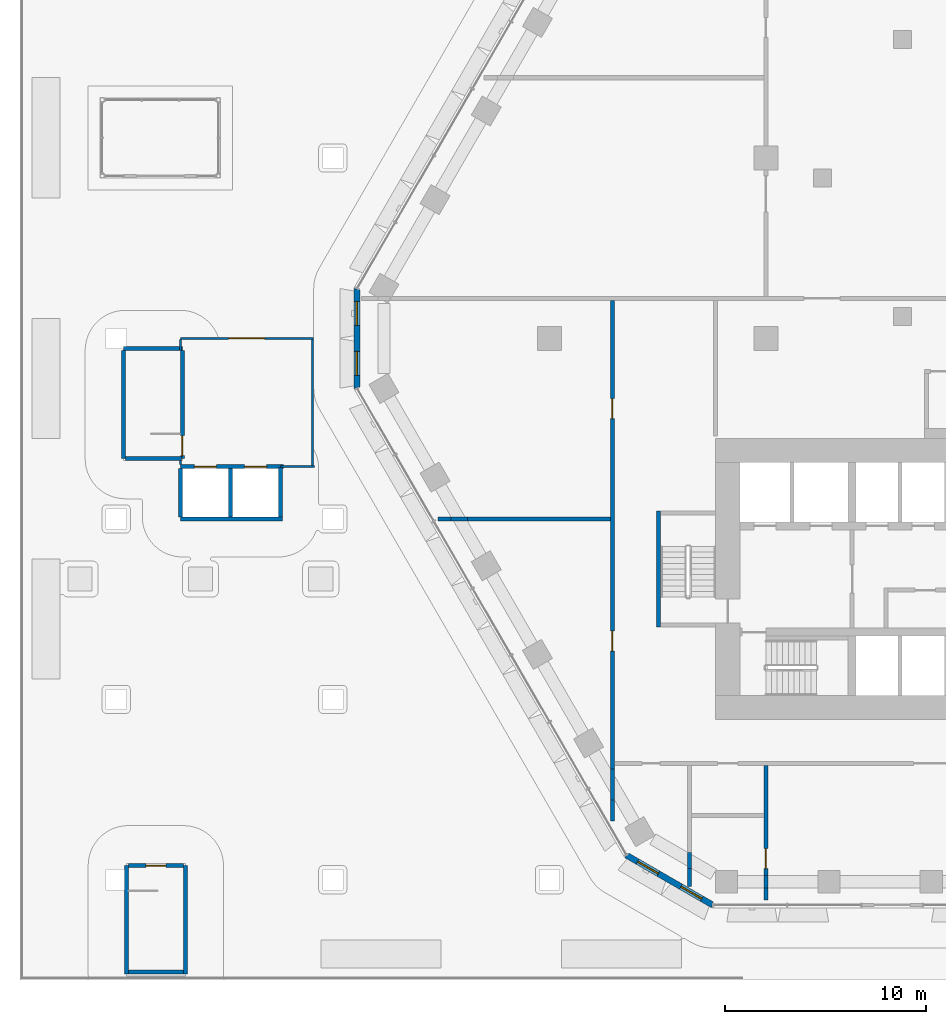
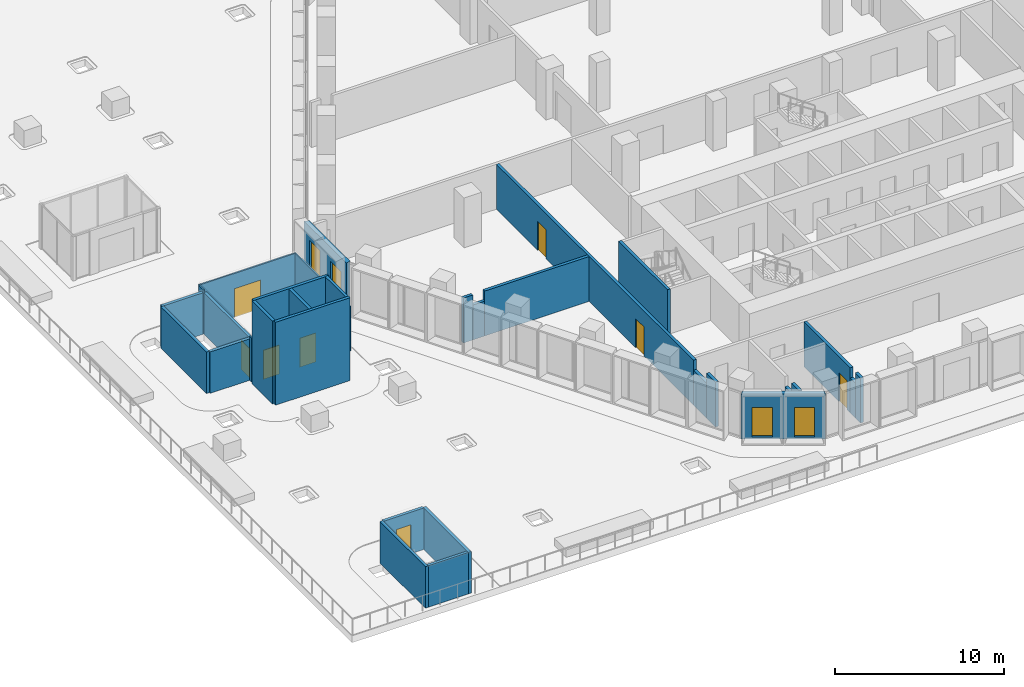
# One storey, part 21 of 38: 32 walls, 8 doors, 4 windows, 12 openings.
"""IFC4 building model written with IfcOpenShell, lengths in metres."""

from ifc_helpers import new_model, si_unit, direction, frame, frame_2d, origin, place, context, subcontext, project, spatial, polyline, rectangle, outline, extrude, material, layer, layer_set, type_object, element, fill, save


model = new_model("IFC4")

# Units and contexts
model_context = context("Model", 3, precision=1e-05, world=origin(), true_north=direction((0.0, 1.0)))
body_context = subcontext(model_context, "Body", "Model", "MODEL_VIEW")
ifc_project = project(units=[si_unit("LENGTHUNIT", "METRE"), si_unit("AREAUNIT", "SQUARE_METRE"), si_unit("VOLUMEUNIT", "CUBIC_METRE"), si_unit("PLANEANGLEUNIT", "RADIAN"), si_unit("MASSUNIT", "GRAM", prefix="KILO")], contexts=[model_context])

# Site, building, storey
site_placement = place(None, origin())
site = spatial("IfcSite", under=ifc_project, at=site_placement, CompositionType="ELEMENT")
building_placement = place(site_placement, origin())
building = spatial("IfcBuilding", under=site, at=building_placement, Name="Beryl Residences", CompositionType="ELEMENT")
storey_placement = place(building_placement, frame((0.0, 0.0, 9.0)))
storey = spatial("IfcBuildingStorey", under=building, at=storey_placement, Name="L02", CompositionType="ELEMENT", Elevation=9.0)

# Wall, openings, windows
ifc_material_1 = material(Name="Composite metal panel with mineral wool insulation")
ifc_layer_1 = layer(ifc_material_1, 0.300048828125)
ifc_layer_set_1 = layer_set([ifc_layer_1], Name="ES1 pale metal composite panel wall 300 mm")
wall_type_1 = type_object("IfcWallType", Name="ES1 pale metal composite panel wall 300 mm", PredefinedType="SOLIDWALL", material=ifc_layer_set_1)
wall_1_placement = place(storey_placement, frame((-31.199951171875, 2.5, 0.0), z_axis=(0.0, 0.0, 1.0), x_axis=(0.0, -1.0, 0.0)))
wall_1 = element("IfcWall", 1, at=wall_1_placement, inside=storey, type_object=wall_type_1, Name="ES1 external wall L02 NW-SW", PredefinedType="SOLIDWALL", context=body_context, shape_type="SweptSolid", body=[
    extrude(outline(polyline([(0.0, -0.14990234375), (5.0, -0.14990234375), (4.919677734375, 0.14990234375), (0.080322265625, 0.14990234375), (0.0, -0.14990234375)])), origin(), (0.0, 0.0, 1.0), 3.25),
])
opening_1_placement = place(wall_1_placement, frame((0.64990234375, 0.0, 0.14990234375)))
opening_1 = element("IfcOpeningElement", 2, at=opening_1_placement, cuts=wall_1, Name="Opening W2", PredefinedType="OPENING", context=body_context, shape_type="SweptSolid", body=[
    extrude(rectangle(XDim=1.199951171875, YDim=2.10009765625, at=frame_2d((0.60009765625, 1.050048828125))), frame((0.0, 0.159912109375, 0.0), z_axis=(0.0, -1.0, 0.0), x_axis=(1.0, 0.0, 0.0)), (0.0, 0.0, 1.0), 0.320068359375),
])
opening_2_placement = place(wall_1_placement, frame((3.14990234375, 0.0, 0.14990234375)))
opening_2 = element("IfcOpeningElement", 3, at=opening_2_placement, cuts=wall_1, Name="Opening W2", PredefinedType="OPENING", context=body_context, shape_type="SweptSolid", body=[
    extrude(rectangle(XDim=1.199951171875, YDim=2.10009765625, at=frame_2d((0.60009765625, 1.050048828125))), frame((0.0, 0.159912109375, 0.0), z_axis=(0.0, -1.0, 0.0), x_axis=(1.0, 0.0, 0.0)), (0.0, 0.0, 1.0), 0.320068359375),
])
ifc_material_2 = material(Name="Aluminium and clear glass", Category="aluminium")
window_type = type_object("IfcWindowType", Name="W2 chamfer window 1200 x 2100 mm", PartitioningType="SINGLE_PANEL", PredefinedType="WINDOW", material=ifc_material_2)
window_1_placement = place(opening_1_placement, origin())
window_1 = element("IfcWindow", 4, at=window_1_placement, inside=storey, type_object=window_type, Name="W2 window L02 NW-SW 1", OverallHeight=2.10009765625, OverallWidth=1.199951171875, PartitioningType="SINGLE_PANEL", PredefinedType="WINDOW", context=body_context, shape_type="SweptSolid", body=[
    extrude(rectangle(XDim=1.199951171875, YDim=2.10009765625, at=frame_2d((0.60009765625, 1.050048828125))), frame((0.0, 0.030029296875, 0.0), z_axis=(0.0, -1.0, 0.0), x_axis=(1.0, 0.0, 0.0)), (0.0, 0.0, 1.0), 0.06005859375),
])
fill(opening_1, window_1)
window_2_placement = place(opening_2_placement, origin())
window_2 = element("IfcWindow", 5, at=window_2_placement, inside=storey, type_object=window_type, Name="W2 window L02 NW-SW 2", OverallHeight=2.10009765625, OverallWidth=1.199951171875, PartitioningType="SINGLE_PANEL", PredefinedType="WINDOW", context=body_context, shape_type="SweptSolid", body=[
    extrude(rectangle(XDim=1.199951171875, YDim=2.10009765625, at=frame_2d((0.60009765625, 1.050048828125))), frame((0.0, 0.030029296875, 0.0), z_axis=(0.0, -1.0, 0.0), x_axis=(1.0, 0.0, 0.0)), (0.0, 0.0, 1.0), 0.06005859375),
])
fill(opening_2, window_2)

wall_2_placement = place(storey_placement, frame((-17.764892578125, -25.77001953125, 0.0), z_axis=(0.0, 0.0, 1.0), x_axis=(0.866010750942, -0.50002537861, 0.0)))
wall_2 = element("IfcWall", 6, at=wall_2_placement, inside=storey, type_object=wall_type_1, Name="ES1 external wall L02 SW-S", PredefinedType="SOLIDWALL", context=body_context, shape_type="SweptSolid", body=[
    extrude(outline(polyline([(0.0, -0.14990234375), (4.999755859375, -0.14990234375), (4.91943359375, 0.14990234375), (0.080322265625, 0.14990234375), (0.0, -0.14990234375)])), origin(), (0.0, 0.0, 1.0), 3.25),
])
opening_3_placement = place(wall_2_placement, frame((0.64990234375, 0.0, 0.14990234375)))
opening_3 = element("IfcOpeningElement", 7, at=opening_3_placement, cuts=wall_2, Name="Opening W2", PredefinedType="OPENING", context=body_context, shape_type="SweptSolid", body=[
    extrude(rectangle(XDim=1.199951171875, YDim=2.10009765625, at=frame_2d((0.60009765625, 1.050048828125))), frame((0.0, 0.159912109375, 0.0), z_axis=(0.0, -1.0, 0.0), x_axis=(1.0, 0.0, 0.0)), (0.0, 0.0, 1.0), 0.320068359375),
])
opening_4_placement = place(wall_2_placement, frame((3.14990234375, 0.0, 0.14990234375)))
opening_4 = element("IfcOpeningElement", 8, at=opening_4_placement, cuts=wall_2, Name="Opening W2", PredefinedType="OPENING", context=body_context, shape_type="SweptSolid", body=[
    extrude(rectangle(XDim=1.199951171875, YDim=2.10009765625, at=frame_2d((0.60009765625, 1.050048828125))), frame((0.0, 0.159912109375, 0.0), z_axis=(0.0, -1.0, 0.0), x_axis=(1.0, 0.0, 0.0)), (0.0, 0.0, 1.0), 0.320068359375),
])
window_3_placement = place(opening_3_placement, origin())
window_3 = element("IfcWindow", 9, at=window_3_placement, inside=storey, type_object=window_type, Name="W2 window L02 SW-S 1", OverallHeight=2.10009765625, OverallWidth=1.199951171875, PartitioningType="SINGLE_PANEL", PredefinedType="WINDOW", context=body_context, shape_type="SweptSolid", body=[
    extrude(rectangle(XDim=1.199951171875, YDim=2.10009765625, at=frame_2d((0.60009765625, 1.050048828125))), frame((0.0, 0.030029296875, 0.0), z_axis=(0.0, -1.0, 0.0), x_axis=(1.0, 0.0, 0.0)), (0.0, 0.0, 1.0), 0.06005859375),
])
fill(opening_3, window_3)
window_4_placement = place(opening_4_placement, origin())
window_4 = element("IfcWindow", 10, at=window_4_placement, inside=storey, type_object=window_type, Name="W2 window L02 SW-S 2", OverallHeight=2.10009765625, OverallWidth=1.199951171875, PartitioningType="SINGLE_PANEL", PredefinedType="WINDOW", context=body_context, shape_type="SweptSolid", body=[
    extrude(rectangle(XDim=1.199951171875, YDim=2.10009765625, at=frame_2d((0.60009765625, 1.050048828125))), frame((0.0, 0.030029296875, 0.0), z_axis=(0.0, -1.0, 0.0), x_axis=(1.0, 0.0, 0.0)), (0.0, 0.0, 1.0), 0.06005859375),
])
fill(opening_4, window_4)

# Wall
ifc_material_3 = material(Name="Fire-rated glazing in painted S355 steel frame", Category="steel")
ifc_layer_2 = layer(ifc_material_3, 0.10009765625)
ifc_layer_set_2 = layer_set([ifc_layer_2], Name="GSC1 fire-rated glazed screen 100 mm")
wall_type_2 = type_object("IfcWallType", Name="GSC1 fire-rated glazed screen 100 mm", PredefinedType="PARTITIONING", material=ifc_layer_set_2)
wall_3_placement = place(storey_placement, frame((-35.0, -6.39990234375, 0.0), z_axis=(0.0, 0.0, 1.0), x_axis=(1.0, 0.0, 0.0)))
element("IfcWall", 11, at=wall_3_placement, inside=storey, type_object=wall_type_2, Name="Wall GSC1 L02 001", PredefinedType="PARTITIONING", context=body_context, shape_type="SweptSolid", body=[
    extrude(rectangle(XDim=1.699951171875, YDim=0.10009765625, at=frame_2d((0.85009765625, 0.0))), origin(), (0.0, 0.0, 1.0), 3.199951171875),
])

# Wall, opening, door
wall_4_placement = place(storey_placement, frame((-40.0, 0.0, 0.0), z_axis=(0.0, 0.0, 1.0), x_axis=(1.0, 0.0, 0.0)))
wall_4 = element("IfcWall", 12, at=wall_4_placement, inside=storey, type_object=wall_type_2, Name="Wall GSC1 L02 002", PredefinedType="PARTITIONING", context=body_context, shape_type="SweptSolid", body=[
    extrude(rectangle(XDim=6.64990234375, YDim=0.10009765625, at=frame_2d((3.324951171875, 0.0))), origin(), (0.0, 0.0, 1.0), 3.199951171875),
])
opening_5_placement = place(wall_4_placement, frame((2.39990234375, 0.0, 0.0)))
opening_5 = element("IfcOpeningElement", 13, at=opening_5_placement, cuts=wall_4, Name="Opening L02-18", PredefinedType="OPENING", context=body_context, shape_type="SweptSolid", body=[
    extrude(rectangle(XDim=1.800048828125, YDim=2.10009765625, at=frame_2d((0.89990234375, 1.050048828125))), frame((0.0, 0.06005859375, 0.0), z_axis=(0.0, -1.0, 0.0), x_axis=(1.0, 0.0, 0.0)), (0.0, 0.0, 1.0), 0.1201171875),
])
ifc_material_4 = material(Name="Glazed doors in aluminium frame", Category="aluminium")
door_type_1 = type_object("IfcDoorType", Name="GLD2 glazed double door 1800 x 2100 mm", OperationType="DOUBLE_DOOR_SINGLE_SWING", PredefinedType="DOOR", material=ifc_material_4)
door_1_placement = place(opening_5_placement, origin())
door_1 = element("IfcDoor", 14, at=door_1_placement, inside=storey, type_object=door_type_1, Name="Door L02-18 L02 001", OperationType="DOUBLE_DOOR_SINGLE_SWING", OverallHeight=2.10009765625, OverallWidth=1.800048828125, PredefinedType="DOOR", context=body_context, shape_type="SweptSolid", body=[
    extrude(rectangle(XDim=1.800048828125, YDim=2.10009765625, at=frame_2d((0.89990234375, 1.050048828125))), frame((0.0, 0.02490234375, 0.0), z_axis=(0.0, -1.0, 0.0), x_axis=(1.0, 0.0, 0.0)), (0.0, 0.0, 1.0), 0.050048828125),
])
fill(opening_5, door_1)

# Walls
wall_5_placement = place(storey_placement, frame((-40.0, -6.300048828125, 0.0), z_axis=(0.0, 0.0, 1.0), x_axis=(0.0, 1.0, 0.0)))
element("IfcWall", 15, at=wall_5_placement, inside=storey, type_object=wall_type_2, Name="Wall GSC1 L02 003", PredefinedType="PARTITIONING", context=body_context, shape_type="SweptSolid", body=[
    extrude(rectangle(XDim=0.199951171875, YDim=0.10009765625, at=frame_2d((0.10009765625, 0.0))), origin(), (0.0, 0.0, 1.0), 3.199951171875),
])
wall_6_placement = place(storey_placement, frame((-40.0, -0.60009765625, 0.0), z_axis=(0.0, 0.0, 1.0), x_axis=(0.0, 1.0, 0.0)))
element("IfcWall", 16, at=wall_6_placement, inside=storey, type_object=wall_type_2, Name="Wall GSC1 L02 004", PredefinedType="PARTITIONING", context=body_context, shape_type="SweptSolid", body=[
    extrude(rectangle(XDim=0.550048828125, YDim=0.10009765625, at=frame_2d((0.27490234375, 0.0))), origin(), (0.0, 0.0, 1.0), 3.199951171875),
])
wall_7_placement = place(storey_placement, frame((-33.39990234375, -6.35009765625, 0.0), z_axis=(0.0, 0.0, 1.0), x_axis=(0.0, 1.0, 0.0)))
element("IfcWall", 17, at=wall_7_placement, inside=storey, type_object=wall_type_2, Name="Wall GSC1 L02 005", PredefinedType="PARTITIONING", context=body_context, shape_type="SweptSolid", body=[
    extrude(rectangle(XDim=6.300048828125, YDim=0.10009765625, at=frame_2d((3.14990234375, 0.0))), origin(), (0.0, 0.0, 1.0), 3.199951171875),
])
ifc_material_5 = material(Name="Double stud gypsum board wall")
ifc_layer_3 = layer(ifc_material_5, 0.199951171875)
ifc_layer_set_3 = layer_set([ifc_layer_3], Name="PT4 corridor wall 200 mm double stud")
wall_type_3 = type_object("IfcWallType", Name="PT4 corridor wall 200 mm double stud", PredefinedType="PARTITIONING", material=ifc_layer_set_3)
wall_8_placement = place(storey_placement, frame((-27.157958984375, -9.0, 0.0), z_axis=(0.0, 0.0, 1.0), x_axis=(1.0, 0.0, 0.0)))
element("IfcWall", 18, at=wall_8_placement, inside=storey, type_object=wall_type_3, Name="Wall PT4 L02 002", PredefinedType="PARTITIONING", context=body_context, shape_type="SweptSolid", body=[
    extrude(rectangle(XDim=0.656982421875, YDim=0.199951171875, at=frame_2d((0.32861328125, 0.0))), origin(), (0.0, 0.0, 1.0), 3.25),
])
wall_9_placement = place(storey_placement, frame((-26.5009765625, -9.0, 0.0), z_axis=(0.0, 0.0, 1.0), x_axis=(1.0, 0.0, 0.0)))
element("IfcWall", 19, at=wall_9_placement, inside=storey, type_object=wall_type_3, Name="Wall PT4 L02 003", PredefinedType="PARTITIONING", context=body_context, shape_type="SweptSolid", body=[
    extrude(rectangle(XDim=0.80908203125, YDim=0.199951171875, at=frame_2d((0.404541015625, 0.0))), origin(), (0.0, 0.0, 1.0), 2.52001953125),
])
wall_10_placement = place(storey_placement, frame((-25.69189453125, -9.0, 0.0), z_axis=(0.0, 0.0, 1.0), x_axis=(1.0, 0.0, 0.0)))
element("IfcWall", 20, at=wall_10_placement, inside=storey, type_object=wall_type_3, Name="Wall PT4 L02 004", PredefinedType="PARTITIONING", context=body_context, shape_type="SweptSolid", body=[
    extrude(rectangle(XDim=7.141845703125, YDim=0.199951171875, at=frame_2d((3.57080078125, 0.0))), origin(), (0.0, 0.0, 1.0), 3.25),
])
wall_11_placement = place(storey_placement, frame((-18.449951171875, -24.08203125, 0.0), z_axis=(0.0, 0.0, 1.0), x_axis=(0.0, 1.0, 0.0)))
element("IfcWall", 21, at=wall_11_placement, inside=storey, type_object=wall_type_3, Name="Wall PT4 L02 020", PredefinedType="PARTITIONING", context=body_context, shape_type="SweptSolid", body=[
    extrude(rectangle(XDim=1.06494140625, YDim=0.199951171875, at=frame_2d((0.532470703125, 0.0))), origin(), (0.0, 0.0, 1.0), 3.25),
])
wall_12_placement = place(storey_placement, frame((-18.449951171875, -23.01708984375, 0.0), z_axis=(0.0, 0.0, 1.0), x_axis=(0.0, 1.0, 0.0)))
element("IfcWall", 22, at=wall_12_placement, inside=storey, type_object=wall_type_3, Name="Wall PT4 L02 021", PredefinedType="PARTITIONING", context=body_context, shape_type="SweptSolid", body=[
    extrude(rectangle(XDim=1.546142578125, YDim=0.199951171875, at=frame_2d((0.77294921875, 0.0))), origin(), (0.0, 0.0, 1.0), 2.52001953125),
])

# Wall, openings, doors
wall_13_placement = place(storey_placement, frame((-18.449951171875, -21.470947265625, 0.0), z_axis=(0.0, 0.0, 1.0), x_axis=(0.0, 1.0, 0.0)))
wall_13 = element("IfcWall", 23, at=wall_13_placement, inside=storey, type_object=wall_type_3, Name="Wall PT4 L02 022", PredefinedType="PARTITIONING", context=body_context, shape_type="SweptSolid", body=[
    extrude(rectangle(XDim=23.370849609375, YDim=0.199951171875, at=frame_2d((11.685546875, 0.0))), origin(), (0.0, 0.0, 1.0), 3.25),
])
opening_6_placement = place(wall_13_placement, frame((5.873046875, 0.0, 0.0)))
opening_6 = element("IfcOpeningElement", 24, at=opening_6_placement, cuts=wall_13, Name="Opening L02-05", PredefinedType="OPENING", context=body_context, shape_type="SweptSolid", body=[
    extrude(rectangle(XDim=1.0, YDim=2.10009765625, at=frame_2d((0.5, 1.050048828125))), frame((0.0, 0.10986328125, 0.0), z_axis=(0.0, -1.0, 0.0), x_axis=(1.0, 0.0, 0.0)), (0.0, 0.0, 1.0), 0.219970703125),
])
opening_7_placement = place(wall_13_placement, frame((17.468994140625, 0.0, 0.0)))
opening_7 = element("IfcOpeningElement", 25, at=opening_7_placement, cuts=wall_13, Name="Opening L02-06", PredefinedType="OPENING", context=body_context, shape_type="SweptSolid", body=[
    extrude(rectangle(XDim=1.0, YDim=2.10009765625, at=frame_2d((0.5, 1.050048828125))), frame((0.0, 0.10986328125, 0.0), z_axis=(0.0, -1.0, 0.0), x_axis=(1.0, 0.0, 0.0)), (0.0, 0.0, 1.0), 0.219970703125),
])
ifc_material_6 = material(Name="Timber door leaf", Category="wood")
door_type_2 = type_object("IfcDoorType", Name="D9 corridor door 1000 x 2100 mm", OperationType="SINGLE_SWING_LEFT", PredefinedType="DOOR", material=ifc_material_6)
door_2_placement = place(opening_6_placement, origin())
door_2 = element("IfcDoor", 26, at=door_2_placement, inside=storey, type_object=door_type_2, Name="Door L02-05 L02 001", OperationType="SINGLE_SWING_LEFT", OverallHeight=2.10009765625, OverallWidth=1.0, PredefinedType="DOOR", context=body_context, shape_type="SweptSolid", body=[
    extrude(rectangle(XDim=1.0, YDim=2.10009765625, at=frame_2d((0.5, 1.050048828125))), frame((0.0, 0.02490234375, 0.0), z_axis=(0.0, -1.0, 0.0), x_axis=(1.0, 0.0, 0.0)), (0.0, 0.0, 1.0), 0.050048828125),
])
fill(opening_6, door_2)
door_3_placement = place(opening_7_placement, origin())
door_3 = element("IfcDoor", 27, at=door_3_placement, inside=storey, type_object=door_type_2, Name="Door L02-06 L02 001", OperationType="SINGLE_SWING_RIGHT", OverallHeight=2.10009765625, OverallWidth=1.0, PredefinedType="DOOR", context=body_context, shape_type="SweptSolid", body=[
    extrude(rectangle(XDim=1.0, YDim=2.10009765625, at=frame_2d((0.5, 1.050048828125))), frame((0.0, 0.02490234375, 0.0), z_axis=(0.0, -1.0, 0.0), x_axis=(1.0, 0.0, 0.0)), (0.0, 0.0, 1.0), 0.050048828125),
])
fill(opening_7, door_3)

# Wall
ifc_material_7 = material(Name="Concrete C40/50", Category="concrete")
ifc_layer_4 = layer(ifc_material_7, 0.199951171875)
ifc_layer_set_4 = layer_set([ifc_layer_4], Name="PT5 stair enclosure wall 200 mm reinforced concrete C40/50")
wall_type_4 = type_object("IfcWallType", Name="PT5 stair enclosure wall 200 mm reinforced concrete C40/50", PredefinedType="SOLIDWALL", material=ifc_layer_set_4)
wall_14_placement = place(storey_placement, frame((-42.60009765625, -31.60009765625, 0.0), z_axis=(0.0, 0.0, 1.0), x_axis=(1.0, 0.0, 0.0)))
element("IfcWall", 28, at=wall_14_placement, inside=storey, type_object=wall_type_4, Name="Wall PT5 L02 004", PredefinedType="SOLIDWALL", context=body_context, shape_type="SweptSolid", body=[
    extrude(rectangle(XDim=2.75, YDim=0.199951171875, at=frame_2d((1.375, 0.0))), origin(), (0.0, 0.0, 1.0), 3.0),
])

# Wall, opening, door
wall_15_placement = place(storey_placement, frame((-42.60009765625, -26.300048828125, 0.0), z_axis=(0.0, 0.0, 1.0), x_axis=(1.0, 0.0, 0.0)))
wall_15 = element("IfcWall", 29, at=wall_15_placement, inside=storey, type_object=wall_type_4, Name="Wall PT5 L02 006", PredefinedType="SOLIDWALL", context=body_context, shape_type="SweptSolid", body=[
    extrude(rectangle(XDim=2.75, YDim=0.199951171875, at=frame_2d((1.375, 0.0))), origin(), (0.0, 0.0, 1.0), 3.0),
])
opening_8_placement = place(wall_15_placement, frame((0.875, 0.0, 0.0)))
opening_8 = element("IfcOpeningElement", 30, at=opening_8_placement, cuts=wall_15, Name="Opening L02-24", PredefinedType="OPENING", context=body_context, shape_type="SweptSolid", body=[
    extrude(rectangle(XDim=1.0, YDim=2.10009765625, at=frame_2d((0.5, 1.050048828125))), frame((0.0, 0.10986328125, 0.0), z_axis=(0.0, -1.0, 0.0), x_axis=(1.0, 0.0, 0.0)), (0.0, 0.0, 1.0), 0.219970703125),
])
ifc_material_8 = material(Name="Steel door leaf in steel frame", Category="steel")
door_type_3 = type_object("IfcDoorType", Name="D15 stair door 1000 x 2100 mm", OperationType="SINGLE_SWING_LEFT", PredefinedType="DOOR", material=ifc_material_8)
door_4_placement = place(opening_8_placement, origin())
door_4 = element("IfcDoor", 31, at=door_4_placement, inside=storey, type_object=door_type_3, Name="Door L02-24 L02 001", OperationType="SINGLE_SWING_RIGHT", OverallHeight=2.10009765625, OverallWidth=1.0, PredefinedType="DOOR", context=body_context, shape_type="SweptSolid", body=[
    extrude(rectangle(XDim=1.0, YDim=2.10009765625, at=frame_2d((0.5, 1.050048828125))), frame((0.0, 0.02490234375, 0.0), z_axis=(0.0, -1.0, 0.0), x_axis=(1.0, 0.0, 0.0)), (0.0, 0.0, 1.0), 0.050048828125),
])
fill(opening_8, door_4)

# Walls
wall_16_placement = place(storey_placement, frame((-42.75, -6.0, 0.0), z_axis=(0.0, 0.0, 1.0), x_axis=(1.0, 0.0, 0.0)))
element("IfcWall", 32, at=wall_16_placement, inside=storey, type_object=wall_type_4, Name="Wall PT5 L02 008", PredefinedType="SOLIDWALL", context=body_context, shape_type="SweptSolid", body=[
    extrude(rectangle(XDim=2.800048828125, YDim=0.199951171875, at=frame_2d((1.39990234375, 0.0))), origin(), (0.0, 0.0, 1.0), 3.0),
])
wall_17_placement = place(storey_placement, frame((-42.85009765625, -0.5, 0.0), z_axis=(0.0, 0.0, 1.0), x_axis=(1.0, 0.0, 0.0)))
element("IfcWall", 33, at=wall_17_placement, inside=storey, type_object=wall_type_4, Name="Wall PT5 L02 009", PredefinedType="SOLIDWALL", context=body_context, shape_type="SweptSolid", body=[
    extrude(rectangle(XDim=2.9501953125, YDim=0.199951171875, at=frame_2d((1.47509765625, 0.0))), origin(), (0.0, 0.0, 1.0), 3.0),
])
for number, where, z_axis, x_axis, name in (
    (34, (-42.85009765625, -6.0, 0.0), (0.0, 0.0, 1.0), (0.0, 1.0, 0.0), "Wall PT5 L02 020"),
    (35, (-42.699951171875, -31.699951171875, 0.0), (0.0, 0.0, 1.0), (0.0, 1.0, 0.0), "Wall PT5 L02 021"),
):
    element("IfcWall", number, at=place(storey_placement, frame(where, z_axis=z_axis, x_axis=x_axis)), inside=storey, type_object=wall_type_4, Name=name, PredefinedType="SOLIDWALL", context=body_context, shape_type="SweptSolid", body=[
        extrude(rectangle(XDim=5.39990234375, YDim=0.199951171875, at=frame_2d((2.699951171875, 0.0))), origin(), (0.0, 0.0, 1.0), 3.0),
    ])

# Wall, opening, door
wall_18_placement = place(storey_placement, frame((-39.89990234375, -6.0, 0.0), z_axis=(0.0, 0.0, 1.0), x_axis=(0.0, 1.0, 0.0)))
wall_18 = element("IfcWall", 36, at=wall_18_placement, inside=storey, type_object=wall_type_4, Name="Wall PT5 L02 022", PredefinedType="SOLIDWALL", context=body_context, shape_type="SweptSolid", body=[
    extrude(rectangle(XDim=5.39990234375, YDim=0.199951171875, at=frame_2d((2.699951171875, 0.0))), origin(), (0.0, 0.0, 1.0), 3.0),
])
opening_9_placement = place(wall_18_placement, frame((1.14990234375, 0.0, 0.0), z_axis=(0.0, 0.0, 1.0), x_axis=(-1.0, 0.0, 0.0)))
opening_9 = element("IfcOpeningElement", 37, at=opening_9_placement, cuts=wall_18, Name="Opening L02-26", PredefinedType="OPENING", context=body_context, shape_type="SweptSolid", body=[
    extrude(rectangle(XDim=1.0, YDim=2.10009765625, at=frame_2d((0.5, 1.050048828125))), frame((0.0, 0.10986328125, 0.0), z_axis=(0.0, -1.0, 0.0), x_axis=(1.0, 0.0, 0.0)), (0.0, 0.0, 1.0), 0.219970703125),
])
door_5_placement = place(opening_9_placement, origin())
door_5 = element("IfcDoor", 38, at=door_5_placement, inside=storey, type_object=door_type_3, Name="Door L02-26 L02 001", OperationType="SINGLE_SWING_RIGHT", OverallHeight=2.10009765625, OverallWidth=1.0, PredefinedType="DOOR", context=body_context, shape_type="SweptSolid", body=[
    extrude(rectangle(XDim=1.0, YDim=2.10009765625, at=frame_2d((0.5, 1.050048828125))), frame((0.0, 0.02490234375, 0.0), z_axis=(0.0, -1.0, 0.0), x_axis=(1.0, 0.0, 0.0)), (0.0, 0.0, 1.0), 0.050048828125),
])
fill(opening_9, door_5)

# Walls
wall_19_placement = place(storey_placement, frame((-39.75, -31.699951171875, 0.0), z_axis=(0.0, 0.0, 1.0), x_axis=(0.0, 1.0, 0.0)))
element("IfcWall", 39, at=wall_19_placement, inside=storey, type_object=wall_type_4, Name="Wall PT5 L02 023", PredefinedType="SOLIDWALL", context=body_context, shape_type="SweptSolid", body=[
    extrude(rectangle(XDim=5.39990234375, YDim=0.199951171875, at=frame_2d((2.699951171875, 0.0))), origin(), (0.0, 0.0, 1.0), 3.0),
])
wall_20_placement = place(storey_placement, frame((-16.14990234375, -14.39990234375, 0.0), z_axis=(0.0, 0.0, 1.0), x_axis=(0.0, 1.0, 0.0)))
element("IfcWall", 40, at=wall_20_placement, inside=storey, type_object=wall_type_4, Name="Stair wall 01", PredefinedType="SOLIDWALL", context=body_context, shape_type="SweptSolid", body=[
    extrude(rectangle(XDim=5.7998046875, YDim=0.199951171875, at=frame_2d((2.89990234375, 0.0))), origin(), (0.0, 0.0, 1.0), 3.25),
])
ifc_material_9 = material(Name="Concrete C40/50", Category="concrete")
ifc_layer_5 = layer(ifc_material_9, 0.199951171875)
ifc_layer_set_5 = layer_set([ifc_layer_5], Name="PT6 lift shaft wall 200 mm reinforced concrete C40/50")
wall_type_5 = type_object("IfcWallType", Name="PT6 lift shaft wall 200 mm reinforced concrete C40/50", PredefinedType="SOLIDWALL", material=ifc_layer_set_5)
wall_21_placement = place(storey_placement, frame((-40.0, -9.0, 0.0), z_axis=(0.0, 0.0, 1.0), x_axis=(1.0, 0.0, 0.0)))
element("IfcWall", 41, at=wall_21_placement, inside=storey, type_object=wall_type_5, Name="Wall PT6 L02 001", PredefinedType="SOLIDWALL", context=body_context, shape_type="SweptSolid", body=[
    extrude(rectangle(XDim=5.10009765625, YDim=0.199951171875, at=frame_2d((2.550048828125, 0.0))), origin(), (0.0, 0.0, 1.0), 6.0),
])

# Wall, openings, doors
wall_22_placement = place(storey_placement, frame((-40.0, -6.39990234375, 0.0), z_axis=(0.0, 0.0, 1.0), x_axis=(1.0, 0.0, 0.0)))
wall_22 = element("IfcWall", 42, at=wall_22_placement, inside=storey, type_object=wall_type_5, Name="Wall PT6 L02 002", PredefinedType="SOLIDWALL", context=body_context, shape_type="SweptSolid", body=[
    extrude(rectangle(XDim=5.14990234375, YDim=0.199951171875, at=frame_2d((2.574951171875, 0.0))), origin(), (0.0, 0.0, 1.0), 6.0),
])
opening_10_placement = place(wall_22_placement, frame((0.699951171875, 0.0, 0.0)))
opening_10 = element("IfcOpeningElement", 43, at=opening_10_placement, cuts=wall_22, Name="Opening LD-PG1", PredefinedType="OPENING", context=body_context, shape_type="SweptSolid", body=[
    extrude(rectangle(XDim=1.10009765625, YDim=2.10009765625, at=frame_2d((0.550048828125, 1.050048828125))), frame((0.0, 0.10986328125, 0.0), z_axis=(0.0, -1.0, 0.0), x_axis=(1.0, 0.0, 0.0)), (0.0, 0.0, 1.0), 0.219970703125),
])
opening_11_placement = place(wall_22_placement, frame((3.199951171875, 0.0, 0.0)))
opening_11 = element("IfcOpeningElement", 44, at=opening_11_placement, cuts=wall_22, Name="Opening LD-PG2", PredefinedType="OPENING", context=body_context, shape_type="SweptSolid", body=[
    extrude(rectangle(XDim=1.10009765625, YDim=2.10009765625, at=frame_2d((0.550048828125, 1.050048828125))), frame((0.0, 0.10986328125, 0.0), z_axis=(0.0, -1.0, 0.0), x_axis=(1.0, 0.0, 0.0)), (0.0, 0.0, 1.0), 0.219970703125),
])
ifc_material_10 = material(Name="Stainless steel sliding door", Category="steel")
door_type_4 = type_object("IfcDoorType", Name="LD1 lift landing door 1100 x 2100 mm", OperationType="DOUBLE_DOOR_SLIDING", PredefinedType="DOOR", material=ifc_material_10)
door_6_placement = place(opening_10_placement, origin())
door_6 = element("IfcDoor", 45, at=door_6_placement, inside=storey, type_object=door_type_4, Name="Door LD-PG1 L02 001", OperationType="DOUBLE_DOOR_SLIDING", OverallHeight=2.10009765625, OverallWidth=1.10009765625, PredefinedType="DOOR", context=body_context, shape_type="SweptSolid", body=[
    extrude(rectangle(XDim=1.10009765625, YDim=2.10009765625, at=frame_2d((0.550048828125, 1.050048828125))), frame((0.0, 0.02490234375, 0.0), z_axis=(0.0, -1.0, 0.0), x_axis=(1.0, 0.0, 0.0)), (0.0, 0.0, 1.0), 0.050048828125),
])
fill(opening_10, door_6)
door_7_placement = place(opening_11_placement, origin())
door_7 = element("IfcDoor", 46, at=door_7_placement, inside=storey, type_object=door_type_4, Name="Door LD-PG2 L02 001", OperationType="DOUBLE_DOOR_SLIDING", OverallHeight=2.10009765625, OverallWidth=1.10009765625, PredefinedType="DOOR", context=body_context, shape_type="SweptSolid", body=[
    extrude(rectangle(XDim=1.10009765625, YDim=2.10009765625, at=frame_2d((0.550048828125, 1.050048828125))), frame((0.0, 0.02490234375, 0.0), z_axis=(0.0, -1.0, 0.0), x_axis=(1.0, 0.0, 0.0)), (0.0, 0.0, 1.0), 0.050048828125),
])
fill(opening_11, door_7)

# Walls
for number, where, z_axis, x_axis, name in (
    (47, (-40.0, -8.89990234375, 0.0), (0.0, 0.0, 1.0), (0.0, 1.0, 0.0), "Wall PT6 L02 003"),
    (48, (-37.5, -8.89990234375, 0.0), (0.0, 0.0, 1.0), (0.0, 1.0, 0.0), "Wall PT6 L02 004"),
):
    element("IfcWall", number, at=place(storey_placement, frame(where, z_axis=z_axis, x_axis=x_axis)), inside=storey, type_object=wall_type_5, Name=name, PredefinedType="SOLIDWALL", context=body_context, shape_type="SweptSolid", body=[
        extrude(rectangle(XDim=2.39990234375, YDim=0.199951171875, at=frame_2d((1.199951171875, 0.0))), origin(), (0.0, 0.0, 1.0), 6.0),
    ])
wall_23_placement = place(storey_placement, frame((-35.0, -8.89990234375, 0.0), z_axis=(0.0, 0.0, 1.0), x_axis=(0.0, 1.0, 0.0)))
element("IfcWall", 49, at=wall_23_placement, inside=storey, type_object=wall_type_5, Name="Wall PT6 L02 005", PredefinedType="SOLIDWALL", context=body_context, shape_type="SweptSolid", body=[
    extrude(rectangle(XDim=2.449951171875, YDim=0.199951171875, at=frame_2d((1.22509765625, 0.0))), origin(), (0.0, 0.0, 1.0), 6.0),
])
ifc_material_11 = material(Name="Concrete masonry", Category="masonry")
ifc_layer_6 = layer(ifc_material_11, 0.199951171875)
ifc_layer_set_6 = layer_set([ifc_layer_6], Name="PT8-200 service room wall 200 mm")
wall_type_6 = type_object("IfcWallType", Name="PT8-200 service room wall 200 mm", PredefinedType="PARTITIONING", material=ifc_layer_set_6)
wall_24_placement = place(storey_placement, frame((-14.60009765625, -27.33203125, 0.0), z_axis=(0.0, 0.0, 1.0), x_axis=(0.0, 1.0, 0.0)))
element("IfcWall", 50, at=wall_24_placement, inside=storey, type_object=wall_type_6, Name="Wall PT8-200 L02 003", PredefinedType="PARTITIONING", context=body_context, shape_type="SweptSolid", body=[
    extrude(rectangle(XDim=0.89013671875, YDim=0.199951171875, at=frame_2d((0.445068359375, 0.0))), origin(), (0.0, 0.0, 1.0), 3.25),
])
wall_25_placement = place(storey_placement, frame((-14.60009765625, -26.44189453125, 0.0), z_axis=(0.0, 0.0, 1.0), x_axis=(0.0, 1.0, 0.0)))
element("IfcWall", 51, at=wall_25_placement, inside=storey, type_object=wall_type_6, Name="Wall PT8-200 L02 004", PredefinedType="PARTITIONING", context=body_context, shape_type="SweptSolid", body=[
    extrude(rectangle(XDim=0.808837890625, YDim=0.199951171875, at=frame_2d((0.404296875, 0.0))), origin(), (0.0, 0.0, 1.0), 2.52001953125),
])
wall_26_placement = place(storey_placement, frame((-10.800048828125, -28.02001953125, 0.0), z_axis=(0.0, 0.0, 1.0), x_axis=(0.0, 1.0, 0.0)))
element("IfcWall", 52, at=wall_26_placement, inside=storey, type_object=wall_type_6, Name="Wall PT8-200 L02 006", PredefinedType="PARTITIONING", context=body_context, shape_type="SweptSolid", body=[
    extrude(rectangle(XDim=0.6201171875, YDim=0.199951171875, at=frame_2d((0.31005859375, 0.0))), origin(), (0.0, 0.0, 1.0), 3.25),
])
wall_27_placement = place(storey_placement, frame((-10.800048828125, -27.39990234375, 0.0), z_axis=(0.0, 0.0, 1.0), x_axis=(0.0, 1.0, 0.0)))
element("IfcWall", 53, at=wall_27_placement, inside=storey, type_object=wall_type_6, Name="Wall PT8-200 L02 007", PredefinedType="PARTITIONING", context=body_context, shape_type="SweptSolid", body=[
    extrude(rectangle(XDim=0.599853515625, YDim=0.199951171875, at=frame_2d((0.2998046875, 0.0))), origin(), (0.0, 0.0, 1.0), 2.52001953125),
])

# Wall, opening, door
wall_28_placement = place(storey_placement, frame((-10.800048828125, -26.800048828125, 0.0), z_axis=(0.0, 0.0, 1.0), x_axis=(0.0, 1.0, 0.0)))
wall_28 = element("IfcWall", 54, at=wall_28_placement, inside=storey, type_object=wall_type_6, Name="Wall PT8-200 L02 008", PredefinedType="PARTITIONING", context=body_context, shape_type="SweptSolid", body=[
    extrude(rectangle(XDim=5.5, YDim=0.199951171875, at=frame_2d((2.75, 0.0))), origin(), (0.0, 0.0, 1.0), 3.25),
])
opening_12_placement = place(wall_28_placement, frame((0.35205078125, 0.0, 0.0)))
opening_12 = element("IfcOpeningElement", 55, at=opening_12_placement, cuts=wall_28, Name="Opening L02-03", PredefinedType="OPENING", context=body_context, shape_type="SweptSolid", body=[
    extrude(rectangle(XDim=1.0, YDim=2.10009765625, at=frame_2d((0.5, 1.050048828125))), frame((0.0, 0.10986328125, 0.0), z_axis=(0.0, -1.0, 0.0), x_axis=(1.0, 0.0, 0.0)), (0.0, 0.0, 1.0), 0.219970703125),
])
door_8_placement = place(opening_12_placement, origin())
door_8 = element("IfcDoor", 56, at=door_8_placement, inside=storey, type_object=door_type_2, Name="Door L02-03 L02 001", OperationType="SINGLE_SWING_LEFT", OverallHeight=2.10009765625, OverallWidth=1.0, PredefinedType="DOOR", context=body_context, shape_type="SweptSolid", body=[
    extrude(rectangle(XDim=1.0, YDim=2.10009765625, at=frame_2d((0.5, 1.050048828125))), frame((0.0, 0.02490234375, 0.0), z_axis=(0.0, -1.0, 0.0), x_axis=(1.0, 0.0, 0.0)), (0.0, 0.0, 1.0), 0.050048828125),
])
fill(opening_12, door_8)

save(model, "model.ifc")
